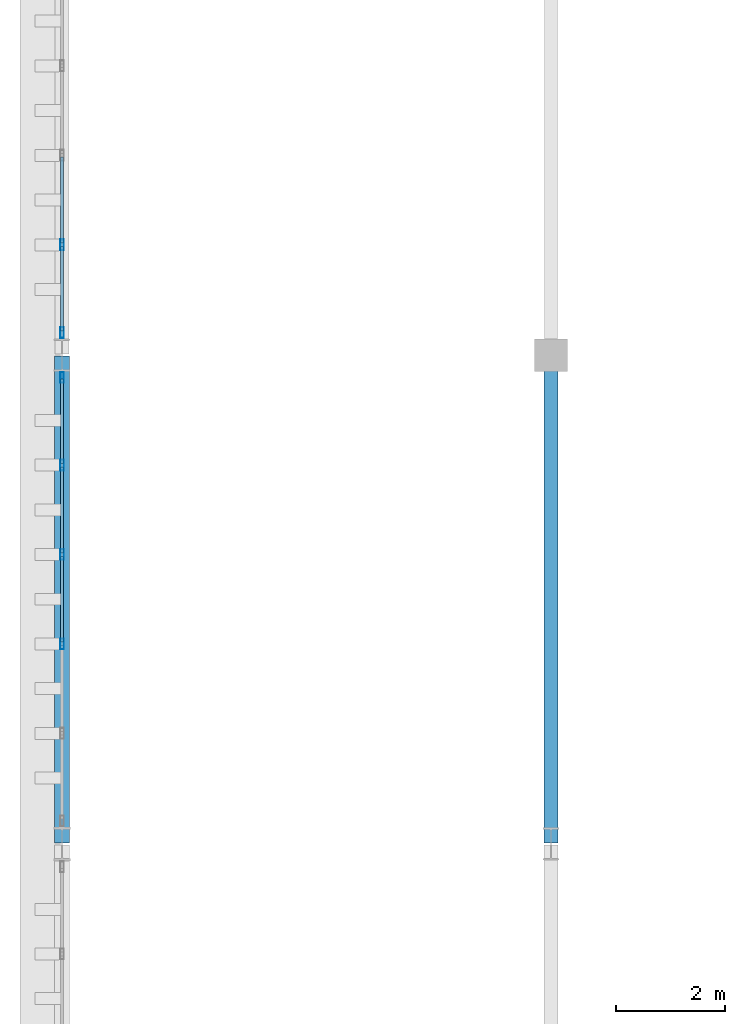
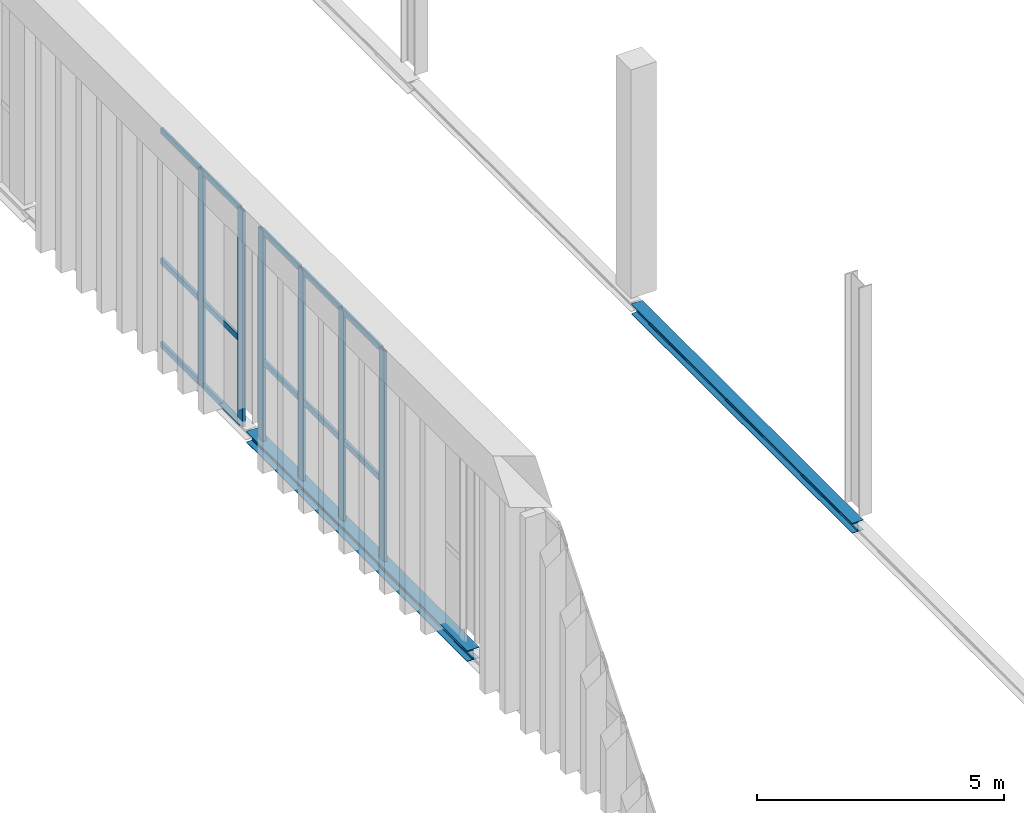
# One storey, part 91 of 237: 21 members, 2 beams, 2 elements without a shape of their own.
"""IFC4 building model written with IfcOpenShell, lengths in metres."""

from ifc_helpers import new_model, si_unit, direction, frame, origin, origin_2d, place, context, subcontext, project, spatial, hollow_rectangle, i_section, extrude, material, layer, layer_set, material_profile, profile_set, type_object, element, aggregate, save


model = new_model("IFC4")

# Units and contexts
model_context = context("Model", 3, precision=1e-05, world=origin(), true_north=direction((0.0, 1.0)))
body_context = subcontext(model_context, "Body", "Model", "MODEL_VIEW")
ifc_project = project(units=[si_unit("LENGTHUNIT", "METRE"), si_unit("AREAUNIT", "SQUARE_METRE"), si_unit("VOLUMEUNIT", "CUBIC_METRE"), si_unit("PLANEANGLEUNIT", "RADIAN"), si_unit("MASSUNIT", "GRAM", prefix="KILO")], contexts=[model_context])

# Site, building, storey
site_placement = place(None, origin())
site = spatial("IfcSite", under=ifc_project, at=site_placement, CompositionType="ELEMENT")
building_placement = place(site_placement, origin())
building = spatial("IfcBuilding", under=site, at=building_placement, Name="Barlavento Convention Centre", CompositionType="ELEMENT")
storey_placement = place(building_placement, frame((0.0, 0.0, 12.0)))
storey = spatial("IfcBuildingStorey", under=building, at=storey_placement, Name="L02", CompositionType="ELEMENT", Elevation=12.0)

# Curtain wall, members
ifc_material_1 = material(Name="Powder-coated aluminium and Low-E glass", Category="aluminium")
ifc_layer = layer(ifc_material_1, 0.18505859375)
ifc_layer_set = layer_set([ifc_layer], Name="ARC-CW-EXH-L02")
curtain_wall_type = type_object("IfcCurtainWallType", Name="ARC-CW-EXH-L02", PredefinedType="NOTDEFINED", material=ifc_layer_set)
curtain_wall_1_placement = place(storey_placement, origin())
curtain_wall_1 = element("IfcCurtainWall", 1, at=curtain_wall_1_placement, inside=storey, type_object=curtain_wall_type, Name="L02 unitised curtain wall CW05", PredefinedType="NOTDEFINED")
ifc_material_2 = material(Name="Powder-coated aluminium", Category="aluminium")
ifc_material_profile_1 = material_profile(ifc_material_2, hollow_rectangle(XDim=0.06494140625, YDim=0.199951171875, WallThickness=0.0048828125, at=origin_2d()), Name="AL-MULL 65x200x5")
ifc_profile_set_1 = profile_set([ifc_material_profile_1], Name="Powder-coated aluminium")
member_type_1 = type_object("IfcMemberType", Name="ARC-CWM-65X200", PredefinedType="MULLION", material=ifc_profile_set_1)
member_1_placement = place(storey_placement, frame((0.0, 84.681884765625, -0.5), z_axis=(0.0, 0.0, 1.0), x_axis=(-1.0, 0.0, 0.0)))
member_1 = element("IfcMember", 2, at=member_1_placement, type_object=member_type_1, Name="CW05 mullion 3", PredefinedType="MULLION", context=body_context, shape_type="SweptSolid", body=[
    extrude(hollow_rectangle(XDim=0.06494140625, YDim=0.199951171875, WallThickness=0.0048828125, at=origin_2d()), origin(), (0.0, 0.0, 1.0), 5.35009765625),
])
member_2_placement = place(storey_placement, frame((0.0, 86.327880859375, -0.5), z_axis=(0.0, 0.0, 1.0), x_axis=(-1.0, 0.0, 0.0)))
member_2 = element("IfcMember", 3, at=member_2_placement, type_object=member_type_1, Name="CW05 mullion 4", PredefinedType="MULLION", context=body_context, shape_type="SweptSolid", body=[
    extrude(hollow_rectangle(XDim=0.06494140625, YDim=0.199951171875, WallThickness=0.0048828125, at=origin_2d()), origin(), (0.0, 0.0, 1.0), 5.35009765625),
])
member_3_placement = place(storey_placement, frame((0.0, 87.97412109375, -0.5), z_axis=(0.0, 0.0, 1.0), x_axis=(-1.0, 0.0, 0.0)))
member_3 = element("IfcMember", 4, at=member_3_placement, type_object=member_type_1, Name="CW05 mullion 5", PredefinedType="MULLION", context=body_context, shape_type="SweptSolid", body=[
    extrude(hollow_rectangle(XDim=0.06494140625, YDim=0.199951171875, WallThickness=0.0048828125, at=origin_2d()), origin(), (0.0, 0.0, 1.0), 5.35009765625),
])
member_4_placement = place(storey_placement, frame((0.0, 89.58740234375, -0.5), z_axis=(0.0, 0.0, 1.0), x_axis=(-1.0, 0.0, 0.0)))
member_4 = element("IfcMember", 5, at=member_4_placement, type_object=member_type_1, Name="CW05 mullion 6", PredefinedType="MULLION", context=body_context, shape_type="SweptSolid", body=[
    extrude(hollow_rectangle(XDim=0.06494140625, YDim=0.199951171875, WallThickness=0.0048828125, at=origin_2d()), origin(), (0.0, 0.0, 1.0), 5.35009765625),
])

curtain_wall_2_placement = place(storey_placement, origin())
curtain_wall_2 = element("IfcCurtainWall", 6, at=curtain_wall_2_placement, inside=storey, type_object=curtain_wall_type, Name="L02 unitised curtain wall CW05", PredefinedType="NOTDEFINED")
member_5_placement = place(storey_placement, frame((0.0, 90.41259765625, -0.5), z_axis=(0.0, 0.0, 1.0), x_axis=(-1.0, 0.0, 0.0)))
member_5 = element("IfcMember", 7, at=member_5_placement, type_object=member_type_1, Name="CW05 mullion 1", PredefinedType="MULLION", context=body_context, shape_type="SweptSolid", body=[
    extrude(hollow_rectangle(XDim=0.06494140625, YDim=0.199951171875, WallThickness=0.0048828125, at=origin_2d()), origin(), (0.0, 0.0, 1.0), 5.35009765625),
])
member_6_placement = place(storey_placement, frame((0.0, 92.028076171875, -0.5), z_axis=(0.0, 0.0, 1.0), x_axis=(-1.0, 0.0, 0.0)))
member_6 = element("IfcMember", 8, at=member_6_placement, type_object=member_type_1, Name="CW05 mullion 2", PredefinedType="MULLION", context=body_context, shape_type="SweptSolid", body=[
    extrude(hollow_rectangle(XDim=0.06494140625, YDim=0.199951171875, WallThickness=0.0048828125, at=origin_2d()), origin(), (0.0, 0.0, 1.0), 5.35009765625),
])

# Member
ifc_material_profile_2 = material_profile(ifc_material_2, hollow_rectangle(XDim=0.06005859375, YDim=0.139892578125, WallThickness=0.00390625, at=origin_2d()), Name="AL-TRAN 60x140x4")
ifc_profile_set_2 = profile_set([ifc_material_profile_2], Name="Powder-coated aluminium")
member_type_2 = type_object("IfcMemberType", Name="ARC-CWT-60X140", PredefinedType="USERDEFINED", material=ifc_profile_set_2)
member_7_placement = place(storey_placement, frame((0.0, 84.714599609375, -0.469970703125), z_axis=(0.0, 1.0, 0.0), x_axis=(-1.0, 0.0, 0.0)))
member_7 = element("IfcMember", 9, at=member_7_placement, type_object=member_type_2, Name="CW05 transom 3.1", ObjectType="TRANSOM", PredefinedType="USERDEFINED", context=body_context, shape_type="SweptSolid", body=[
    extrude(hollow_rectangle(XDim=0.06005859375, YDim=0.139892578125, WallThickness=0.00390625, at=origin_2d()), origin(), (0.0, 0.0, 1.0), 1.580810546875),
])

member_8_placement = place(storey_placement, frame((0.0, 84.714599609375, 1.60009765625), z_axis=(0.0, 1.0, 0.0), x_axis=(-1.0, 0.0, 0.0)))
member_8 = element("IfcMember", 10, at=member_8_placement, type_object=member_type_2, Name="CW05 transom 3.2", ObjectType="TRANSOM", PredefinedType="USERDEFINED", context=body_context, shape_type="SweptSolid", body=[
    extrude(hollow_rectangle(XDim=0.06005859375, YDim=0.139892578125, WallThickness=0.00390625, at=origin_2d()), origin(), (0.0, 0.0, 1.0), 1.580810546875),
])

member_9_placement = place(storey_placement, frame((0.0, 84.714599609375, 4.820068359375), z_axis=(0.0, 1.0, 0.0), x_axis=(-1.0, 0.0, 0.0)))
member_9 = element("IfcMember", 11, at=member_9_placement, type_object=member_type_2, Name="CW05 transom 3.3", ObjectType="TRANSOM", PredefinedType="USERDEFINED", context=body_context, shape_type="SweptSolid", body=[
    extrude(hollow_rectangle(XDim=0.06005859375, YDim=0.139892578125, WallThickness=0.00390625, at=origin_2d()), origin(), (0.0, 0.0, 1.0), 1.580810546875),
])

member_10_placement = place(storey_placement, frame((0.0, 86.360595703125, -0.469970703125), z_axis=(0.0, 1.0, 0.0), x_axis=(-1.0, 0.0, 0.0)))
member_10 = element("IfcMember", 12, at=member_10_placement, type_object=member_type_2, Name="CW05 transom 4.1", ObjectType="TRANSOM", PredefinedType="USERDEFINED", context=body_context, shape_type="SweptSolid", body=[
    extrude(hollow_rectangle(XDim=0.06005859375, YDim=0.139892578125, WallThickness=0.00390625, at=origin_2d()), origin(), (0.0, 0.0, 1.0), 1.580810546875),
])

member_11_placement = place(storey_placement, frame((0.0, 86.360595703125, 1.60009765625), z_axis=(0.0, 1.0, 0.0), x_axis=(-1.0, 0.0, 0.0)))
member_11 = element("IfcMember", 13, at=member_11_placement, type_object=member_type_2, Name="CW05 transom 4.2", ObjectType="TRANSOM", PredefinedType="USERDEFINED", context=body_context, shape_type="SweptSolid", body=[
    extrude(hollow_rectangle(XDim=0.06005859375, YDim=0.139892578125, WallThickness=0.00390625, at=origin_2d()), origin(), (0.0, 0.0, 1.0), 1.580810546875),
])

member_12_placement = place(storey_placement, frame((0.0, 86.360595703125, 4.820068359375), z_axis=(0.0, 1.0, 0.0), x_axis=(-1.0, 0.0, 0.0)))
member_12 = element("IfcMember", 14, at=member_12_placement, type_object=member_type_2, Name="CW05 transom 4.3", ObjectType="TRANSOM", PredefinedType="USERDEFINED", context=body_context, shape_type="SweptSolid", body=[
    extrude(hollow_rectangle(XDim=0.06005859375, YDim=0.139892578125, WallThickness=0.00390625, at=origin_2d()), origin(), (0.0, 0.0, 1.0), 1.580810546875),
])

member_13_placement = place(storey_placement, frame((0.0, 88.006591796875, -0.469970703125), z_axis=(0.0, 1.0, 0.0), x_axis=(-1.0, 0.0, 0.0)))
member_13 = element("IfcMember", 15, at=member_13_placement, type_object=member_type_2, Name="CW05 transom 5.1", ObjectType="TRANSOM", PredefinedType="USERDEFINED", context=body_context, shape_type="SweptSolid", body=[
    extrude(hollow_rectangle(XDim=0.06005859375, YDim=0.139892578125, WallThickness=0.00390625, at=origin_2d()), origin(), (0.0, 0.0, 1.0), 1.54833984375),
])

member_14_placement = place(storey_placement, frame((0.0, 88.006591796875, 1.60009765625), z_axis=(0.0, 1.0, 0.0), x_axis=(-1.0, 0.0, 0.0)))
member_14 = element("IfcMember", 16, at=member_14_placement, type_object=member_type_2, Name="CW05 transom 5.2", ObjectType="TRANSOM", PredefinedType="USERDEFINED", context=body_context, shape_type="SweptSolid", body=[
    extrude(hollow_rectangle(XDim=0.06005859375, YDim=0.139892578125, WallThickness=0.00390625, at=origin_2d()), origin(), (0.0, 0.0, 1.0), 1.54833984375),
])

member_15_placement = place(storey_placement, frame((0.0, 88.006591796875, 4.820068359375), z_axis=(0.0, 1.0, 0.0), x_axis=(-1.0, 0.0, 0.0)))
member_15 = element("IfcMember", 17, at=member_15_placement, type_object=member_type_2, Name="CW05 transom 5.3", ObjectType="TRANSOM", PredefinedType="USERDEFINED", context=body_context, shape_type="SweptSolid", body=[
    extrude(hollow_rectangle(XDim=0.06005859375, YDim=0.139892578125, WallThickness=0.00390625, at=origin_2d()), origin(), (0.0, 0.0, 1.0), 1.54833984375),
])

aggregate(curtain_wall_1, [member_1, member_2, member_3, member_4, member_7, member_8, member_9, member_10, member_11, member_12, member_13, member_14, member_15])

member_16_placement = place(storey_placement, frame((0.0, 90.445068359375, -0.469970703125), z_axis=(0.0, 1.0, 0.0), x_axis=(-1.0, 0.0, 0.0)))
member_16 = element("IfcMember", 18, at=member_16_placement, type_object=member_type_2, Name="CW05 transom 1.1", ObjectType="TRANSOM", PredefinedType="USERDEFINED", context=body_context, shape_type="SweptSolid", body=[
    extrude(hollow_rectangle(XDim=0.06005859375, YDim=0.139892578125, WallThickness=0.00390625, at=origin_2d()), origin(), (0.0, 0.0, 1.0), 1.550537109375),
])

member_17_placement = place(storey_placement, frame((0.0, 90.445068359375, 1.60009765625), z_axis=(0.0, 1.0, 0.0), x_axis=(-1.0, 0.0, 0.0)))
member_17 = element("IfcMember", 19, at=member_17_placement, type_object=member_type_2, Name="CW05 transom 1.2", ObjectType="TRANSOM", PredefinedType="USERDEFINED", context=body_context, shape_type="SweptSolid", body=[
    extrude(hollow_rectangle(XDim=0.06005859375, YDim=0.139892578125, WallThickness=0.00390625, at=origin_2d()), origin(), (0.0, 0.0, 1.0), 1.550537109375),
])

member_18_placement = place(storey_placement, frame((0.0, 90.445068359375, 4.820068359375), z_axis=(0.0, 1.0, 0.0), x_axis=(-1.0, 0.0, 0.0)))
member_18 = element("IfcMember", 20, at=member_18_placement, type_object=member_type_2, Name="CW05 transom 1.3", ObjectType="TRANSOM", PredefinedType="USERDEFINED", context=body_context, shape_type="SweptSolid", body=[
    extrude(hollow_rectangle(XDim=0.06005859375, YDim=0.139892578125, WallThickness=0.00390625, at=origin_2d()), origin(), (0.0, 0.0, 1.0), 1.550537109375),
])

member_19_placement = place(storey_placement, frame((0.0, 92.060546875, -0.469970703125), z_axis=(0.0, 1.0, 0.0), x_axis=(-1.0, 0.0, 0.0)))
member_19 = element("IfcMember", 21, at=member_19_placement, type_object=member_type_2, Name="CW05 transom 2.1", ObjectType="TRANSOM", PredefinedType="USERDEFINED", context=body_context, shape_type="SweptSolid", body=[
    extrude(hollow_rectangle(XDim=0.06005859375, YDim=0.139892578125, WallThickness=0.00390625, at=origin_2d()), origin(), (0.0, 0.0, 1.0), 1.5830078125),
])

member_20_placement = place(storey_placement, frame((0.0, 92.060546875, 1.60009765625), z_axis=(0.0, 1.0, 0.0), x_axis=(-1.0, 0.0, 0.0)))
member_20 = element("IfcMember", 22, at=member_20_placement, type_object=member_type_2, Name="CW05 transom 2.2", ObjectType="TRANSOM", PredefinedType="USERDEFINED", context=body_context, shape_type="SweptSolid", body=[
    extrude(hollow_rectangle(XDim=0.06005859375, YDim=0.139892578125, WallThickness=0.00390625, at=origin_2d()), origin(), (0.0, 0.0, 1.0), 1.5830078125),
])

member_21_placement = place(storey_placement, frame((0.0, 92.060546875, 4.820068359375), z_axis=(0.0, 1.0, 0.0), x_axis=(-1.0, 0.0, 0.0)))
member_21 = element("IfcMember", 23, at=member_21_placement, type_object=member_type_2, Name="CW05 transom 2.3", ObjectType="TRANSOM", PredefinedType="USERDEFINED", context=body_context, shape_type="SweptSolid", body=[
    extrude(hollow_rectangle(XDim=0.06005859375, YDim=0.139892578125, WallThickness=0.00390625, at=origin_2d()), origin(), (0.0, 0.0, 1.0), 1.5830078125),
])

aggregate(curtain_wall_2, [member_5, member_6, member_16, member_17, member_18, member_19, member_20, member_21])

# Beams
ifc_material_3 = material(Name="Steel S355", Category="steel")
ifc_material_profile_3 = material_profile(ifc_material_3, i_section(OverallWidth=0.260009765625, OverallDepth=0.25, WebThickness=0.007568359375, FlangeThickness=0.012451171875, FilletRadius=0.02392578125, at=origin_2d()), Name="HEA 260")
ifc_profile_set_3 = profile_set([ifc_material_profile_3], Name="Steel S355")
beam_type_1 = type_object("IfcBeamType", Name="STR-BM-SPN-HEA260", PredefinedType="SPANDREL", material=ifc_profile_set_3)
beam_1_placement = place(storey_placement, frame((9.0, 81.02001953125, -0.485107421875), z_axis=(0.0, 1.0, 0.0), x_axis=(-1.0, 0.0, 0.0)))
element("IfcBeam", 24, at=beam_1_placement, inside=storey, type_object=beam_type_1, Name="L02 grid girder SP04", PredefinedType="SPANDREL", context=body_context, shape_type="SweptSolid", body=[
    extrude(i_section(OverallWidth=0.260009765625, OverallDepth=0.25, WebThickness=0.007568359375, FlangeThickness=0.012451171875, FilletRadius=0.02392578125, at=origin_2d()), origin(), (0.0, 0.0, 1.0), 8.9599609375),
])
ifc_material_profile_4 = material_profile(ifc_material_3, i_section(OverallWidth=0.280029296875, OverallDepth=0.27001953125, WebThickness=0.008056640625, FlangeThickness=0.012939453125, FilletRadius=0.02392578125, at=origin_2d()), Name="HEA 280")
ifc_profile_set_4 = profile_set([ifc_material_profile_4], Name="Steel S355")
beam_type_2 = type_object("IfcBeamType", Name="STR-BM-SPN-HEA280", PredefinedType="SPANDREL", material=ifc_profile_set_4)
beam_2_placement = place(storey_placement, frame((0.0, 81.02001953125, -0.4951171875), z_axis=(0.0, 1.0, 0.0), x_axis=(-1.0, 0.0, 0.0)))
element("IfcBeam", 25, at=beam_2_placement, inside=storey, type_object=beam_type_2, Name="L02 grid girder SP03", PredefinedType="SPANDREL", context=body_context, shape_type="SweptSolid", body=[
    extrude(i_section(OverallWidth=0.280029296875, OverallDepth=0.27001953125, WebThickness=0.008056640625, FlangeThickness=0.012939453125, FilletRadius=0.02392578125, at=origin_2d()), origin(), (0.0, 0.0, 1.0), 8.9599609375),
])

save(model, "model.ifc")
